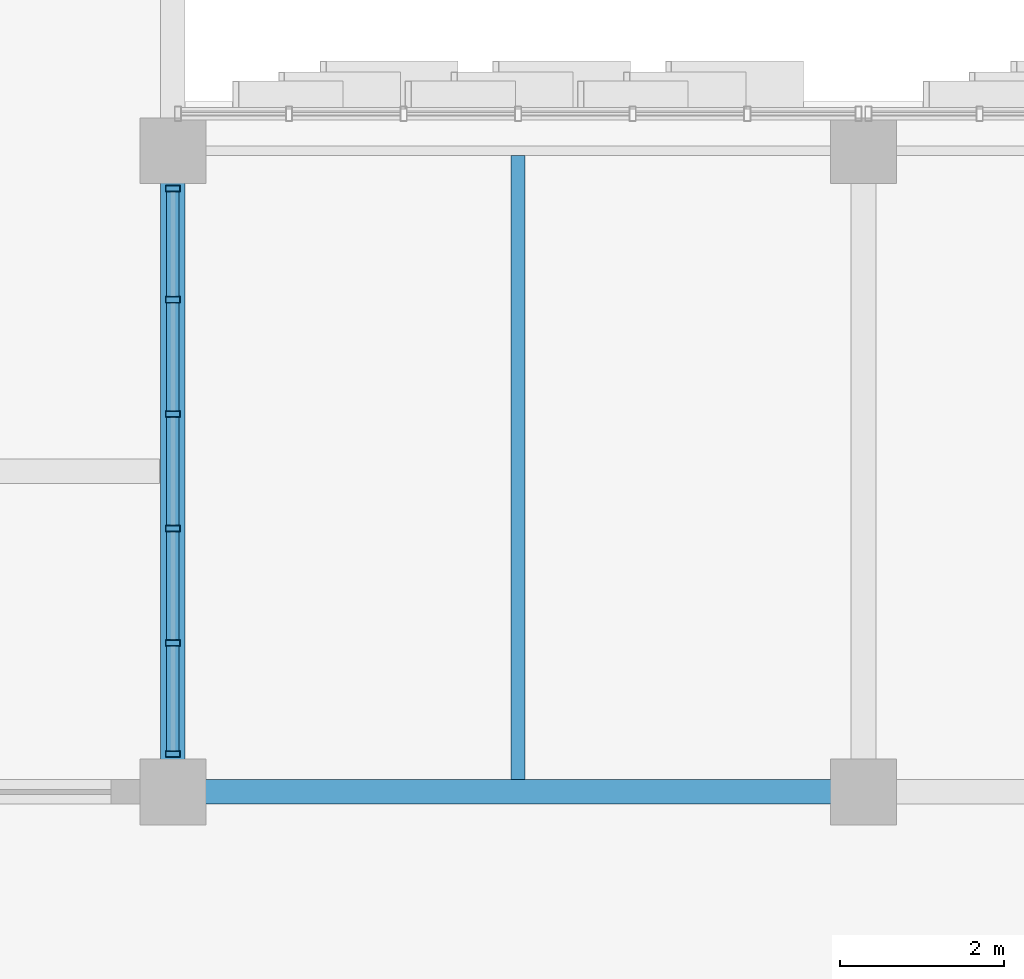
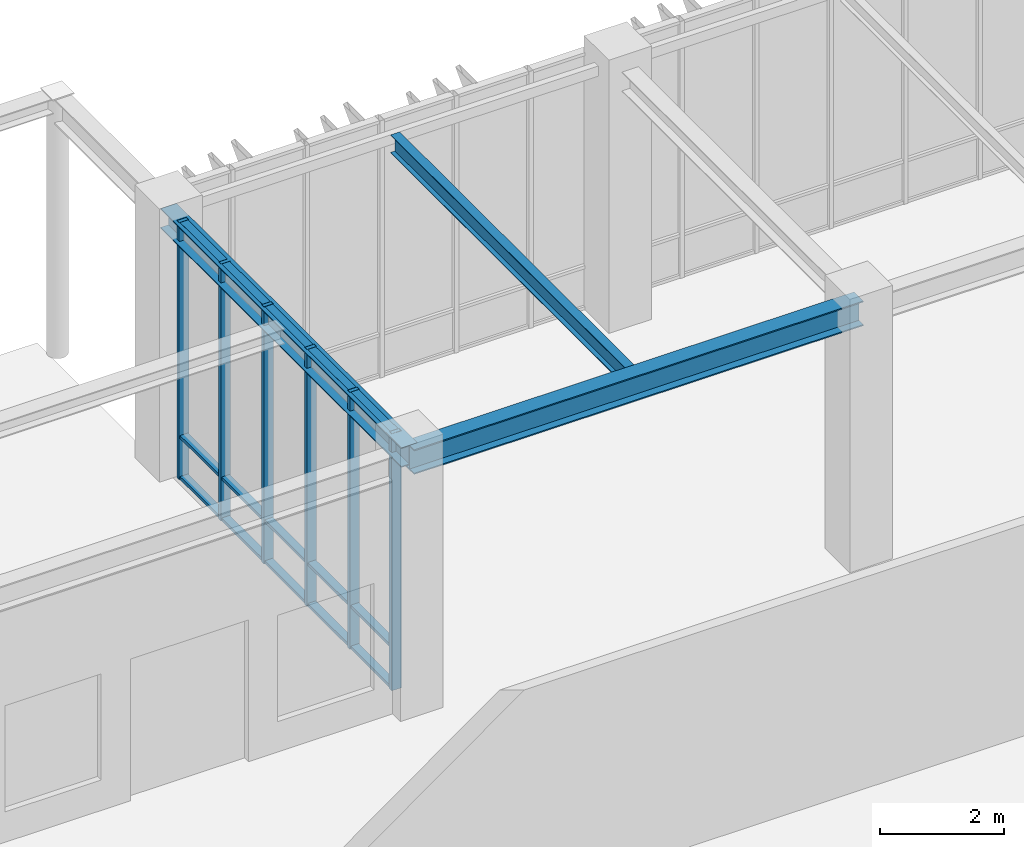
# One storey, part 47 of 122: 21 members, 3 beams, 1 element without a shape of its own.
"""IFC4 building model written with IfcOpenShell, lengths in metres."""

from ifc_helpers import new_model, si_unit, direction, frame, origin, origin_2d, place, context, subcontext, project, spatial, hollow_rectangle, i_section, extrude, material, layer, layer_set, material_profile, profile_set, type_object, element, aggregate, save


model = new_model("IFC4")

# Units and contexts
model_context = context("Model", 3, precision=1e-05, world=origin(), true_north=direction((0.0, 1.0)))
body_context = subcontext(model_context, "Body", "Model", "MODEL_VIEW")
ifc_project = project(units=[si_unit("LENGTHUNIT", "METRE"), si_unit("AREAUNIT", "SQUARE_METRE"), si_unit("VOLUMEUNIT", "CUBIC_METRE"), si_unit("PLANEANGLEUNIT", "RADIAN"), si_unit("MASSUNIT", "GRAM", prefix="KILO")], contexts=[model_context])

# Site, building, storey
site_placement = place(None, origin())
site = spatial("IfcSite", under=ifc_project, at=site_placement, CompositionType="ELEMENT")
building_placement = place(site_placement, origin())
building = spatial("IfcBuilding", under=site, at=building_placement, Name="Zayran Congress Hotel", CompositionType="ELEMENT")
storey_placement = place(building_placement, origin())
storey = spatial("IfcBuildingStorey", under=building, at=storey_placement, Name="L00", CompositionType="ELEMENT", Elevation=0.0)

# Beams
ifc_material_1 = material(Name="Steel S355", Category="steel")
ifc_material_profile_1 = material_profile(ifc_material_1, i_section(OverallWidth=0.300048828125, OverallDepth=0.489990234375, WebThickness=0.011962890625, FlangeThickness=0.02294921875, at=origin_2d()), Name="HEA 500")
ifc_profile_set_1 = profile_set([ifc_material_profile_1], Name="Steel S355")
beam_type_1 = type_object("IfcBeamType", Name="TP-BM-05", PredefinedType="BEAM", material=ifc_profile_set_1)
beam_1_placement = place(storey_placement, frame((58.800048828125, 109.60009765625, 4.8349609375), z_axis=(1.0, 0.0, 0.0), x_axis=(0.0, 1.0, 0.0)))
element("IfcBeam", 1, at=beam_1_placement, inside=storey, type_object=beam_type_1, Name="BM-V1-L00-0431", PredefinedType="BEAM", context=body_context, shape_type="SweptSolid", body=[
    extrude(i_section(OverallWidth=0.300048828125, OverallDepth=0.489990234375, WebThickness=0.011962890625, FlangeThickness=0.02294921875, at=origin_2d()), origin(), (0.0, 0.0, 1.0), 8.39990234375),
])
ifc_material_profile_2 = material_profile(ifc_material_1, i_section(OverallWidth=0.300048828125, OverallDepth=0.389892578125, WebThickness=0.010986328125, FlangeThickness=0.01904296875, at=origin_2d()), Name="HEA 400")
ifc_profile_set_2 = profile_set([ifc_material_profile_2], Name="Steel S355")
beam_type_2 = type_object("IfcBeamType", Name="TP-BM-06", PredefinedType="BEAM", material=ifc_profile_set_2)
beam_2_placement = place(storey_placement, frame((58.800048828125, 109.60009765625, 4.885009765625), z_axis=(0.0, 1.0, 0.0), x_axis=(-1.0, 0.0, 0.0)))
element("IfcBeam", 2, at=beam_2_placement, inside=storey, type_object=beam_type_2, Name="BM-V1-L00-0471", PredefinedType="BEAM", context=body_context, shape_type="SweptSolid", body=[
    extrude(i_section(OverallWidth=0.300048828125, OverallDepth=0.389892578125, WebThickness=0.010986328125, FlangeThickness=0.01904296875, at=origin_2d()), origin(), (0.0, 0.0, 1.0), 7.7998046875),
])
ifc_material_profile_3 = material_profile(ifc_material_1, i_section(OverallWidth=0.169921875, OverallDepth=0.360107421875, WebThickness=0.008056640625, FlangeThickness=0.0126953125, at=origin_2d()), Name="IPE 360")
ifc_profile_set_3 = profile_set([ifc_material_profile_3], Name="Steel S355")
beam_type_3 = type_object("IfcBeamType", Name="TP-JS-04", PredefinedType="JOIST", material=ifc_profile_set_3)
beam_3_placement = place(storey_placement, frame((63.0, 109.75, 4.89990234375), z_axis=(0.0, 1.0, 0.0), x_axis=(-1.0, 0.0, 0.0)))
element("IfcBeam", 3, at=beam_3_placement, inside=storey, type_object=beam_type_3, Name="JST-V1-L00-0504", PredefinedType="JOIST", context=body_context, shape_type="SweptSolid", body=[
    extrude(i_section(OverallWidth=0.169921875, OverallDepth=0.360107421875, WebThickness=0.008056640625, FlangeThickness=0.0126953125, at=origin_2d()), origin(), (0.0, 0.0, 1.0), 7.590087890625),
])

# Curtain wall, members
ifc_material_2 = material(Name="Anodised aluminium and low-E insulated glass", Category="aluminium")
ifc_layer = layer(ifc_material_2, 0.179931640625)
ifc_layer_set = layer_set([ifc_layer], Name="Anodised aluminium and low-E insulated glass")
curtain_wall_type = type_object("IfcCurtainWallType", Name="CW-V1NE-L00-CW-25-6960-5080", PredefinedType="USERDEFINED", material=ifc_layer_set)
curtain_wall_placement = place(storey_placement, origin())
curtain_wall = element("IfcCurtainWall", 4, at=curtain_wall_placement, inside=storey, type_object=curtain_wall_type, Name="CW-V1NE-L00", ObjectType="CURTAIN WALL", PredefinedType="USERDEFINED")
ifc_material_3 = material(Name="Anodised aluminium framing", Category="aluminium")
ifc_material_profile_4 = material_profile(ifc_material_3, hollow_rectangle(XDim=0.080078125, YDim=0.179931640625, WallThickness=0.0048828125, at=origin_2d()), Name="RHS 180x80x5")
ifc_profile_set_4 = profile_set([ifc_material_profile_4], Name="Anodised aluminium framing")
member_type_1 = type_object("IfcMemberType", Name="TP-CWM-01", PredefinedType="MULLION", material=ifc_profile_set_4)
member_1_placement = place(storey_placement, frame((58.800048828125, 116.93994140625, 0.0), z_axis=(0.0, 0.0, 1.0), x_axis=(0.0, 1.0, 0.0)))
member_1 = element("IfcMember", 5, at=member_1_placement, type_object=member_type_1, Name="CW-V1NE-L00-M00", PredefinedType="MULLION", context=body_context, shape_type="SweptSolid", body=[
    extrude(hollow_rectangle(XDim=0.080078125, YDim=0.179931640625, WallThickness=0.0048828125, at=origin_2d()), origin(), (0.0, 0.0, 1.0), 5.080078125),
])
member_2_placement = place(storey_placement, frame((58.800048828125, 115.587890625, 0.0), z_axis=(0.0, 0.0, 1.0), x_axis=(0.0, 1.0, 0.0)))
member_2 = element("IfcMember", 6, at=member_2_placement, type_object=member_type_1, Name="CW-V1NE-L00-M01", PredefinedType="MULLION", context=body_context, shape_type="SweptSolid", body=[
    extrude(hollow_rectangle(XDim=0.080078125, YDim=0.179931640625, WallThickness=0.0048828125, at=origin_2d()), origin(), (0.0, 0.0, 1.0), 5.080078125),
])
member_3_placement = place(storey_placement, frame((58.800048828125, 114.196044921875, 0.0), z_axis=(0.0, 0.0, 1.0), x_axis=(0.0, 1.0, 0.0)))
member_3 = element("IfcMember", 7, at=member_3_placement, type_object=member_type_1, Name="CW-V1NE-L00-M02", PredefinedType="MULLION", context=body_context, shape_type="SweptSolid", body=[
    extrude(hollow_rectangle(XDim=0.080078125, YDim=0.179931640625, WallThickness=0.0048828125, at=origin_2d()), origin(), (0.0, 0.0, 1.0), 5.080078125),
])
member_4_placement = place(storey_placement, frame((58.800048828125, 112.803955078125, 0.0), z_axis=(0.0, 0.0, 1.0), x_axis=(0.0, 1.0, 0.0)))
member_4 = element("IfcMember", 8, at=member_4_placement, type_object=member_type_1, Name="CW-V1NE-L00-M03", PredefinedType="MULLION", context=body_context, shape_type="SweptSolid", body=[
    extrude(hollow_rectangle(XDim=0.080078125, YDim=0.179931640625, WallThickness=0.0048828125, at=origin_2d()), origin(), (0.0, 0.0, 1.0), 5.080078125),
])
member_5_placement = place(storey_placement, frame((58.800048828125, 111.412109375, 0.0), z_axis=(0.0, 0.0, 1.0), x_axis=(0.0, 1.0, 0.0)))
member_5 = element("IfcMember", 9, at=member_5_placement, type_object=member_type_1, Name="CW-V1NE-L00-M04", PredefinedType="MULLION", context=body_context, shape_type="SweptSolid", body=[
    extrude(hollow_rectangle(XDim=0.080078125, YDim=0.179931640625, WallThickness=0.0048828125, at=origin_2d()), origin(), (0.0, 0.0, 1.0), 5.080078125),
])
member_6_placement = place(storey_placement, frame((58.800048828125, 110.06005859375, 0.0), z_axis=(0.0, 0.0, 1.0), x_axis=(0.0, 1.0, 0.0)))
member_6 = element("IfcMember", 10, at=member_6_placement, type_object=member_type_1, Name="CW-V1NE-L00-M05", PredefinedType="MULLION", context=body_context, shape_type="SweptSolid", body=[
    extrude(hollow_rectangle(XDim=0.080078125, YDim=0.179931640625, WallThickness=0.0048828125, at=origin_2d()), origin(), (0.0, 0.0, 1.0), 5.080078125),
])
ifc_material_profile_5 = material_profile(ifc_material_3, hollow_rectangle(XDim=0.06005859375, YDim=0.14990234375, WallThickness=0.00390625, at=origin_2d()), Name="RHS 150x60x4")
ifc_profile_set_5 = profile_set([ifc_material_profile_5], Name="Anodised aluminium framing")
member_type_2 = type_object("IfcMemberType", Name="TP-CWT-01", PredefinedType="USERDEFINED", material=ifc_profile_set_5)
member_7_placement = place(storey_placement, frame((58.800048828125, 116.89990234375, 0.030029296875), z_axis=(0.0, -1.0, 0.0), x_axis=(0.0, 0.0, 1.0)))
member_7 = element("IfcMember", 11, at=member_7_placement, type_object=member_type_2, Name="CW-V1NE-L00-T00-0", ObjectType="TRANSOM", PredefinedType="USERDEFINED", context=body_context, shape_type="SweptSolid", body=[
    extrude(hollow_rectangle(XDim=0.06005859375, YDim=0.14990234375, WallThickness=0.00390625, at=origin_2d()), origin(), (0.0, 0.0, 1.0), 1.27197265625),
])
member_8_placement = place(storey_placement, frame((58.800048828125, 116.89990234375, 0.840087890625), z_axis=(0.0, -1.0, 0.0), x_axis=(0.0, 0.0, 1.0)))
member_8 = element("IfcMember", 12, at=member_8_placement, type_object=member_type_2, Name="CW-V1NE-L00-T00-1", ObjectType="TRANSOM", PredefinedType="USERDEFINED", context=body_context, shape_type="SweptSolid", body=[
    extrude(hollow_rectangle(XDim=0.06005859375, YDim=0.14990234375, WallThickness=0.00390625, at=origin_2d()), origin(), (0.0, 0.0, 1.0), 1.27197265625),
])
member_9_placement = place(storey_placement, frame((58.800048828125, 116.89990234375, 5.050048828125), z_axis=(0.0, -1.0, 0.0), x_axis=(0.0, 0.0, 1.0)))
member_9 = element("IfcMember", 13, at=member_9_placement, type_object=member_type_2, Name="CW-V1NE-L00-T00-2", ObjectType="TRANSOM", PredefinedType="USERDEFINED", context=body_context, shape_type="SweptSolid", body=[
    extrude(hollow_rectangle(XDim=0.06005859375, YDim=0.14990234375, WallThickness=0.00390625, at=origin_2d()), origin(), (0.0, 0.0, 1.0), 1.27197265625),
])
member_10_placement = place(storey_placement, frame((58.800048828125, 115.548095703125, 0.030029296875), z_axis=(0.0, -1.0, 0.0), x_axis=(0.0, 0.0, 1.0)))
member_10 = element("IfcMember", 14, at=member_10_placement, type_object=member_type_2, Name="CW-V1NE-L00-T01-0", ObjectType="TRANSOM", PredefinedType="USERDEFINED", context=body_context, shape_type="SweptSolid", body=[
    extrude(hollow_rectangle(XDim=0.06005859375, YDim=0.14990234375, WallThickness=0.00390625, at=origin_2d()), origin(), (0.0, 0.0, 1.0), 1.31201171875),
])
member_11_placement = place(storey_placement, frame((58.800048828125, 115.548095703125, 0.840087890625), z_axis=(0.0, -1.0, 0.0), x_axis=(0.0, 0.0, 1.0)))
member_11 = element("IfcMember", 15, at=member_11_placement, type_object=member_type_2, Name="CW-V1NE-L00-T01-1", ObjectType="TRANSOM", PredefinedType="USERDEFINED", context=body_context, shape_type="SweptSolid", body=[
    extrude(hollow_rectangle(XDim=0.06005859375, YDim=0.14990234375, WallThickness=0.00390625, at=origin_2d()), origin(), (0.0, 0.0, 1.0), 1.31201171875),
])
member_12_placement = place(storey_placement, frame((58.800048828125, 115.548095703125, 5.050048828125), z_axis=(0.0, -1.0, 0.0), x_axis=(0.0, 0.0, 1.0)))
member_12 = element("IfcMember", 16, at=member_12_placement, type_object=member_type_2, Name="CW-V1NE-L00-T01-2", ObjectType="TRANSOM", PredefinedType="USERDEFINED", context=body_context, shape_type="SweptSolid", body=[
    extrude(hollow_rectangle(XDim=0.06005859375, YDim=0.14990234375, WallThickness=0.00390625, at=origin_2d()), origin(), (0.0, 0.0, 1.0), 1.31201171875),
])
member_13_placement = place(storey_placement, frame((58.800048828125, 114.156005859375, 0.030029296875), z_axis=(0.0, -1.0, 0.0), x_axis=(0.0, 0.0, 1.0)))
member_13 = element("IfcMember", 17, at=member_13_placement, type_object=member_type_2, Name="CW-V1NE-L00-T02-0", ObjectType="TRANSOM", PredefinedType="USERDEFINED", context=body_context, shape_type="SweptSolid", body=[
    extrude(hollow_rectangle(XDim=0.06005859375, YDim=0.14990234375, WallThickness=0.00390625, at=origin_2d()), origin(), (0.0, 0.0, 1.0), 1.31201171875),
])
member_14_placement = place(storey_placement, frame((58.800048828125, 114.156005859375, 0.840087890625), z_axis=(0.0, -1.0, 0.0), x_axis=(0.0, 0.0, 1.0)))
member_14 = element("IfcMember", 18, at=member_14_placement, type_object=member_type_2, Name="CW-V1NE-L00-T02-1", ObjectType="TRANSOM", PredefinedType="USERDEFINED", context=body_context, shape_type="SweptSolid", body=[
    extrude(hollow_rectangle(XDim=0.06005859375, YDim=0.14990234375, WallThickness=0.00390625, at=origin_2d()), origin(), (0.0, 0.0, 1.0), 1.31201171875),
])
member_15_placement = place(storey_placement, frame((58.800048828125, 114.156005859375, 5.050048828125), z_axis=(0.0, -1.0, 0.0), x_axis=(0.0, 0.0, 1.0)))
member_15 = element("IfcMember", 19, at=member_15_placement, type_object=member_type_2, Name="CW-V1NE-L00-T02-2", ObjectType="TRANSOM", PredefinedType="USERDEFINED", context=body_context, shape_type="SweptSolid", body=[
    extrude(hollow_rectangle(XDim=0.06005859375, YDim=0.14990234375, WallThickness=0.00390625, at=origin_2d()), origin(), (0.0, 0.0, 1.0), 1.31201171875),
])
member_16_placement = place(storey_placement, frame((58.800048828125, 112.763916015625, 0.030029296875), z_axis=(0.0, -1.0, 0.0), x_axis=(0.0, 0.0, 1.0)))
member_16 = element("IfcMember", 20, at=member_16_placement, type_object=member_type_2, Name="CW-V1NE-L00-T03-0", ObjectType="TRANSOM", PredefinedType="USERDEFINED", context=body_context, shape_type="SweptSolid", body=[
    extrude(hollow_rectangle(XDim=0.06005859375, YDim=0.14990234375, WallThickness=0.00390625, at=origin_2d()), origin(), (0.0, 0.0, 1.0), 1.31201171875),
])
member_17_placement = place(storey_placement, frame((58.800048828125, 112.763916015625, 0.840087890625), z_axis=(0.0, -1.0, 0.0), x_axis=(0.0, 0.0, 1.0)))
member_17 = element("IfcMember", 21, at=member_17_placement, type_object=member_type_2, Name="CW-V1NE-L00-T03-1", ObjectType="TRANSOM", PredefinedType="USERDEFINED", context=body_context, shape_type="SweptSolid", body=[
    extrude(hollow_rectangle(XDim=0.06005859375, YDim=0.14990234375, WallThickness=0.00390625, at=origin_2d()), origin(), (0.0, 0.0, 1.0), 1.31201171875),
])
member_18_placement = place(storey_placement, frame((58.800048828125, 112.763916015625, 5.050048828125), z_axis=(0.0, -1.0, 0.0), x_axis=(0.0, 0.0, 1.0)))
member_18 = element("IfcMember", 22, at=member_18_placement, type_object=member_type_2, Name="CW-V1NE-L00-T03-2", ObjectType="TRANSOM", PredefinedType="USERDEFINED", context=body_context, shape_type="SweptSolid", body=[
    extrude(hollow_rectangle(XDim=0.06005859375, YDim=0.14990234375, WallThickness=0.00390625, at=origin_2d()), origin(), (0.0, 0.0, 1.0), 1.31201171875),
])
member_19_placement = place(storey_placement, frame((58.800048828125, 111.3720703125, 0.030029296875), z_axis=(0.0, -1.0, 0.0), x_axis=(0.0, 0.0, 1.0)))
member_19 = element("IfcMember", 23, at=member_19_placement, type_object=member_type_2, Name="CW-V1NE-L00-T04-0", ObjectType="TRANSOM", PredefinedType="USERDEFINED", context=body_context, shape_type="SweptSolid", body=[
    extrude(hollow_rectangle(XDim=0.06005859375, YDim=0.14990234375, WallThickness=0.00390625, at=origin_2d()), origin(), (0.0, 0.0, 1.0), 1.27197265625),
])
member_20_placement = place(storey_placement, frame((58.800048828125, 111.3720703125, 0.840087890625), z_axis=(0.0, -1.0, 0.0), x_axis=(0.0, 0.0, 1.0)))
member_20 = element("IfcMember", 24, at=member_20_placement, type_object=member_type_2, Name="CW-V1NE-L00-T04-1", ObjectType="TRANSOM", PredefinedType="USERDEFINED", context=body_context, shape_type="SweptSolid", body=[
    extrude(hollow_rectangle(XDim=0.06005859375, YDim=0.14990234375, WallThickness=0.00390625, at=origin_2d()), origin(), (0.0, 0.0, 1.0), 1.27197265625),
])
member_21_placement = place(storey_placement, frame((58.800048828125, 111.3720703125, 5.050048828125), z_axis=(0.0, -1.0, 0.0), x_axis=(0.0, 0.0, 1.0)))
member_21 = element("IfcMember", 25, at=member_21_placement, type_object=member_type_2, Name="CW-V1NE-L00-T04-2", ObjectType="TRANSOM", PredefinedType="USERDEFINED", context=body_context, shape_type="SweptSolid", body=[
    extrude(hollow_rectangle(XDim=0.06005859375, YDim=0.14990234375, WallThickness=0.00390625, at=origin_2d()), origin(), (0.0, 0.0, 1.0), 1.27197265625),
])
aggregate(curtain_wall, [member_1, member_2, member_3, member_4, member_5, member_6, member_7, member_8, member_9, member_10, member_11, member_12, member_13, member_14, member_15, member_16, member_17, member_18, member_19, member_20, member_21])

save(model, "model.ifc")
